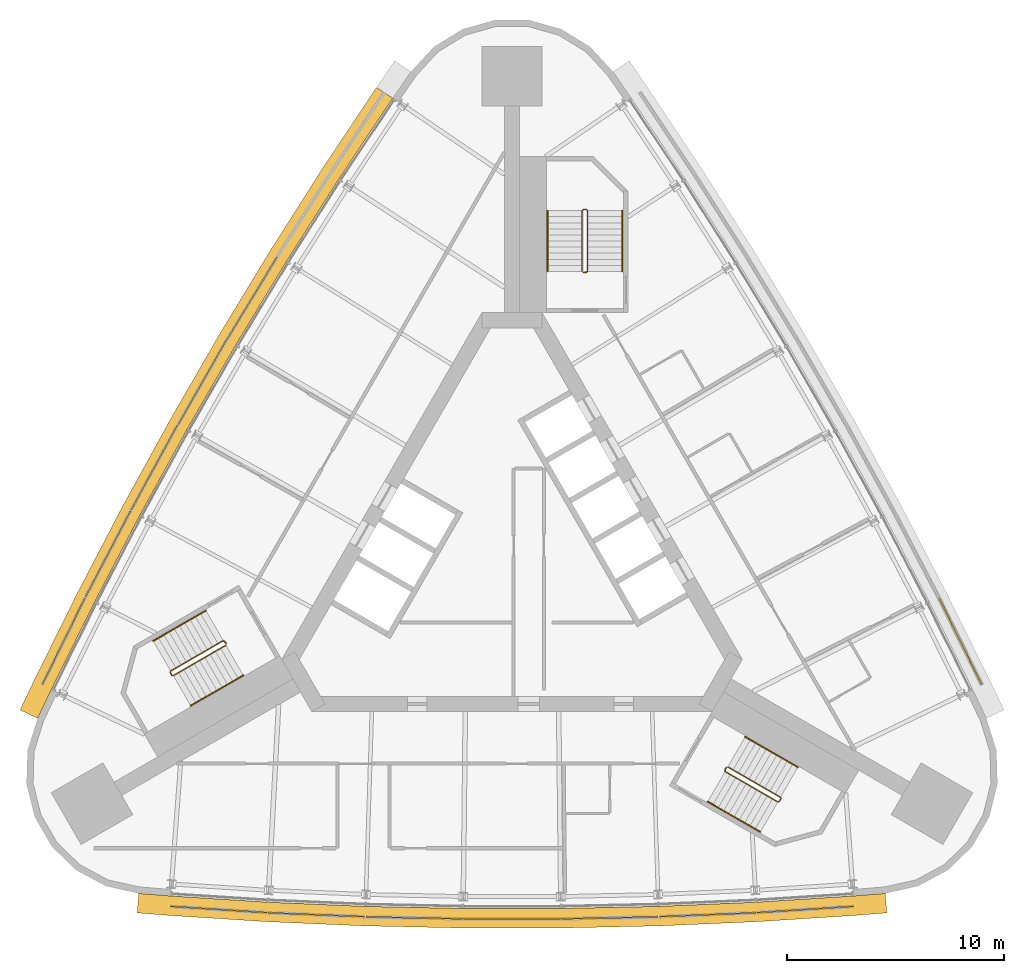
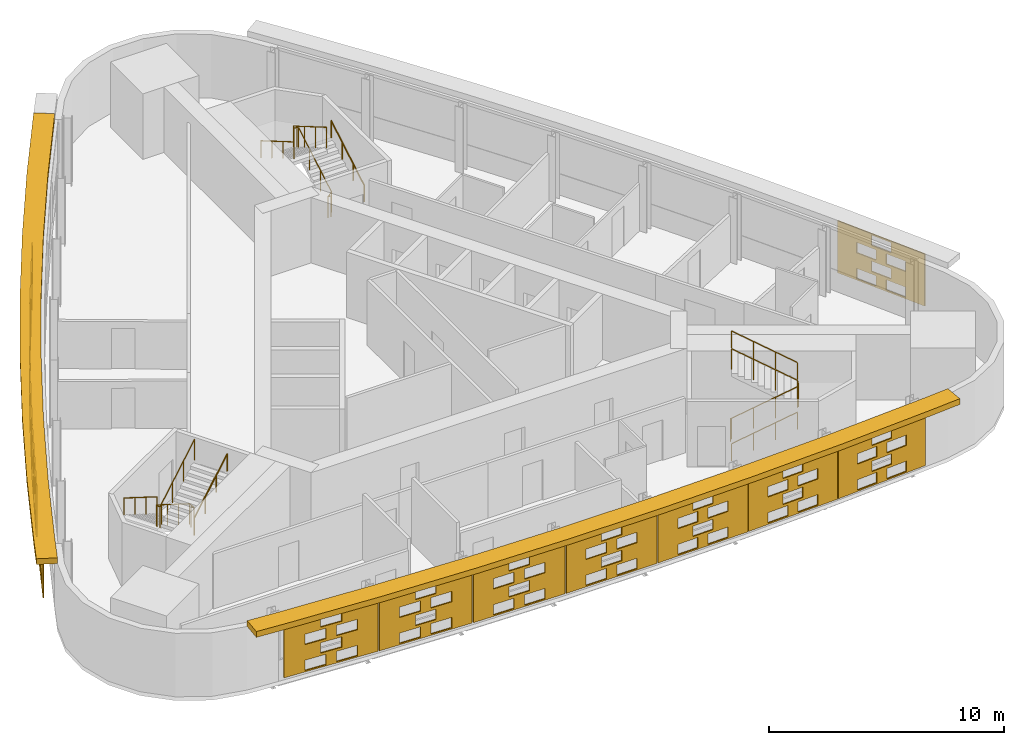
# One storey, part 11 of 12: 15 shading devices, 9 railings.
"""IFC4 building model written with IfcOpenShell, lengths in metres."""

from ifc_helpers import new_model, si_unit, direction, frame, origin, origin_2d, place, context, subcontext, project, spatial, polyline, circle, outline, extrude, material, material_profile, profile_set, type_object, element, save


model = new_model("IFC4")

# Units and contexts
model_context = context("Model", 3, precision=1e-05, world=origin(), true_north=direction((0.0, 1.0)))
body_context = subcontext(model_context, "Body", "Model", "MODEL_VIEW")
ifc_project = project(units=[si_unit("LENGTHUNIT", "METRE"), si_unit("AREAUNIT", "SQUARE_METRE"), si_unit("VOLUMEUNIT", "CUBIC_METRE"), si_unit("PLANEANGLEUNIT", "RADIAN"), si_unit("MASSUNIT", "GRAM", prefix="KILO")], contexts=[model_context])

# Site, building, storey
site_placement = place(None, origin())
site = spatial("IfcSite", under=ifc_project, at=site_placement, CompositionType="ELEMENT")
building_placement = place(site_placement, origin())
building = spatial("IfcBuilding", under=site, at=building_placement, Name="Noor Cloister Tower", CompositionType="ELEMENT")
storey_placement = place(building_placement, frame((0.0, 0.0, 188.699951171875)))
storey = spatial("IfcBuildingStorey", under=building, at=storey_placement, Name="L48", CompositionType="ELEMENT", Elevation=188.699951171875)

# Shading devices
ifc_material_1 = material(Name="Limestone", Category="masonry")
ifc_material_profile = material_profile(ifc_material_1, outline(polyline([(-2.22998046875, -1.35009765625), (2.22998046875, -1.35009765625), (2.22998046875, 1.35009765625), (-2.22998046875, 1.35009765625), (-2.22998046875, -1.35009765625)]), holes=[polyline([(-1.25, -1.282470703125), (-0.25, -1.282470703125), (-0.25, -0.742431640625), (-1.25, -0.742431640625), (-1.25, -1.282470703125)]), polyline([(0.25, -1.282470703125), (1.25, -1.282470703125), (1.25, -0.742431640625), (0.25, -0.742431640625), (0.25, -1.282470703125)]), polyline([(-0.5, -0.607421875), (0.5, -0.607421875), (0.5, -0.0673828125), (-0.5, -0.0673828125), (-0.5, -0.607421875)]), polyline([(-1.25, 0.0673828125), (-0.25, 0.0673828125), (-0.25, 0.607421875), (-1.25, 0.607421875), (-1.25, 0.0673828125)]), polyline([(0.25, 0.0673828125), (1.25, 0.0673828125), (1.25, 0.607421875), (0.25, 0.607421875), (0.25, 0.0673828125)]), polyline([(-0.5, 0.742431640625), (0.5, 0.742431640625), (0.5, 1.282470703125), (-0.5, 1.282470703125), (-0.5, 0.742431640625)])]), Name="Woven screen 32 percent open")
ifc_profile_set = profile_set([ifc_material_profile], Name="Limestone")
shading_device_type_1 = type_object("IfcShadingDeviceType", Name="SCREEN woven limestone 32 percent open", PredefinedType="USERDEFINED", material=ifc_profile_set)
shading_device_1_placement = place(storey_placement, frame((-11.95556640625, 12.109130859375, 1.85009765625), z_axis=(-0.854980050906, 0.518660883962, 0.0), x_axis=(-0.518660883962, -0.854980050906, 0.0)))
element("IfcShadingDevice", 1, at=shading_device_1_placement, inside=storey, type_object=shading_device_type_1, Name="SCREEN L48 3", ObjectType="SCREEN", PredefinedType="USERDEFINED", context=body_context, shape_type="SweptSolid", body=[
    extrude(outline(polyline([(-2.22998046875, -1.35009765625), (2.22998046875, -1.35009765625), (2.22998046875, 1.35009765625), (-2.22998046875, 1.35009765625), (-2.22998046875, -1.35009765625)]), holes=[polyline([(-1.25, -1.282470703125), (-0.25, -1.282470703125), (-0.25, -0.742431640625), (-1.25, -0.742431640625), (-1.25, -1.282470703125)]), polyline([(0.25, -1.282470703125), (1.25, -1.282470703125), (1.25, -0.742431640625), (0.25, -0.742431640625), (0.25, -1.282470703125)]), polyline([(-0.5, -0.607421875), (0.5, -0.607421875), (0.5, -0.0673828125), (-0.5, -0.0673828125), (-0.5, -0.607421875)]), polyline([(-1.25, 0.0673828125), (-0.25, 0.0673828125), (-0.25, 0.607421875), (-1.25, 0.607421875), (-1.25, 0.0673828125)]), polyline([(0.25, 0.0673828125), (1.25, 0.0673828125), (1.25, 0.607421875), (0.25, 0.607421875), (0.25, 0.0673828125)]), polyline([(-0.5, 0.742431640625), (0.5, 0.742431640625), (0.5, 1.282470703125), (-0.5, 1.282470703125), (-0.5, 0.742431640625)])]), origin(), (0.0, 0.0, 1.0), 0.060302734375),
])
shading_device_2_placement = place(storey_placement, frame((-14.251953125, 8.228515625, 1.85009765625), z_axis=(-0.86774129532, 0.497016140981, 0.0), x_axis=(-0.497016140981, -0.86774129532, 0.0)))
element("IfcShadingDevice", 2, at=shading_device_2_placement, inside=storey, type_object=shading_device_type_1, Name="SCREEN L48 4", ObjectType="SCREEN", PredefinedType="USERDEFINED", context=body_context, shape_type="SweptSolid", body=[
    extrude(outline(polyline([(-2.22998046875, -1.35009765625), (2.22998046875, -1.35009765625), (2.22998046875, 1.35009765625), (-2.22998046875, 1.35009765625), (-2.22998046875, -1.35009765625)]), holes=[polyline([(-1.25, -1.282470703125), (-0.25, -1.282470703125), (-0.25, -0.742431640625), (-1.25, -0.742431640625), (-1.25, -1.282470703125)]), polyline([(0.25, -1.282470703125), (1.25, -1.282470703125), (1.25, -0.742431640625), (0.25, -0.742431640625), (0.25, -1.282470703125)]), polyline([(-0.5, -0.607421875), (0.5, -0.607421875), (0.5, -0.0673828125), (-0.5, -0.0673828125), (-0.5, -0.607421875)]), polyline([(-1.25, 0.0673828125), (-0.25, 0.0673828125), (-0.25, 0.607421875), (-1.25, 0.607421875), (-1.25, 0.0673828125)]), polyline([(0.25, 0.0673828125), (1.25, 0.0673828125), (1.25, 0.607421875), (0.25, 0.607421875), (0.25, 0.0673828125)]), polyline([(-0.5, 0.742431640625), (0.5, 0.742431640625), (0.5, 1.282470703125), (-0.5, 1.282470703125), (-0.5, 0.742431640625)])]), origin(), (0.0, 0.0, 1.0), 0.059814453125),
])
for number, where, z_axis, x_axis, name in (
    (3, (-16.464599609375, 4.29931640625, 1.85009765625), (-0.877584848731, 0.479421352547, 0.0), (-0.479421352547, -0.877584848731, 0.0), "SCREEN L48 5"),
    (4, (-18.5927734375, 0.32373046875, 1.85009765625), (-0.886149575817, 0.463399319464, 0.0), (-0.463399319464, -0.886149575817, 0.0), "SCREEN L48 6"),
    (5, (-20.63525390625, -3.6962890625, 1.85009765625), (-0.896848817686, 0.442337199673, 0.0), (-0.442337199673, -0.896848817686, 0.0), "SCREEN L48 7"),
):
    element("IfcShadingDevice", number, at=place(storey_placement, frame(where, z_axis=z_axis, x_axis=x_axis)), inside=storey, type_object=shading_device_type_1, Name=name, ObjectType="SCREEN", PredefinedType="USERDEFINED", context=body_context, shape_type="SweptSolid", body=[
        extrude(outline(polyline([(-2.22998046875, -1.35009765625), (2.22998046875, -1.35009765625), (2.22998046875, 1.35009765625), (-2.22998046875, 1.35009765625), (-2.22998046875, -1.35009765625)]), holes=[polyline([(-1.25, -1.282470703125), (-0.25, -1.282470703125), (-0.25, -0.742431640625), (-1.25, -0.742431640625), (-1.25, -1.282470703125)]), polyline([(0.25, -1.282470703125), (1.25, -1.282470703125), (1.25, -0.742431640625), (0.25, -0.742431640625), (0.25, -1.282470703125)]), polyline([(-0.5, -0.607421875), (0.5, -0.607421875), (0.5, -0.0673828125), (-0.5, -0.0673828125), (-0.5, -0.607421875)]), polyline([(-1.25, 0.0673828125), (-0.25, 0.0673828125), (-0.25, 0.607421875), (-1.25, 0.607421875), (-1.25, 0.0673828125)]), polyline([(0.25, 0.0673828125), (1.25, 0.0673828125), (1.25, 0.607421875), (0.25, 0.607421875), (0.25, 0.0673828125)]), polyline([(-0.5, 0.742431640625), (0.5, 0.742431640625), (0.5, 1.282470703125), (-0.5, 1.282470703125), (-0.5, 0.742431640625)])]), origin(), (0.0, 0.0, 1.0), 0.06005859375),
    ])
shading_device_3_placement = place(storey_placement, frame((-13.518798828125, -16.0224609375, 1.85009765625), z_axis=(-0.064903515062, -0.997891544073, 0.0), x_axis=(0.997891544073, -0.064903515062, 0.0)))
element("IfcShadingDevice", 6, at=shading_device_3_placement, inside=storey, type_object=shading_device_type_1, Name="SCREEN L48 1", ObjectType="SCREEN", PredefinedType="USERDEFINED", context=body_context, shape_type="SweptSolid", body=[
    extrude(outline(polyline([(-2.22998046875, -1.35009765625), (2.22998046875, -1.35009765625), (2.22998046875, 1.35009765625), (-2.22998046875, 1.35009765625), (-2.22998046875, -1.35009765625)]), holes=[polyline([(-1.25, -1.282470703125), (-0.25, -1.282470703125), (-0.25, -0.742431640625), (-1.25, -0.742431640625), (-1.25, -1.282470703125)]), polyline([(0.25, -1.282470703125), (1.25, -1.282470703125), (1.25, -0.742431640625), (0.25, -0.742431640625), (0.25, -1.282470703125)]), polyline([(-0.5, -0.607421875), (0.5, -0.607421875), (0.5, -0.0673828125), (-0.5, -0.0673828125), (-0.5, -0.607421875)]), polyline([(-1.25, 0.0673828125), (-0.25, 0.0673828125), (-0.25, 0.607421875), (-1.25, 0.607421875), (-1.25, 0.0673828125)]), polyline([(0.25, 0.0673828125), (1.25, 0.0673828125), (1.25, 0.607421875), (0.25, 0.607421875), (0.25, 0.0673828125)]), polyline([(-0.5, 0.742431640625), (0.5, 0.742431640625), (0.5, 1.282470703125), (-0.5, 1.282470703125), (-0.5, 0.742431640625)])]), origin(), (0.0, 0.0, 1.0), 0.060302734375),
])
for number, where, z_axis, x_axis, name in (
    (7, (-9.01611328125, -16.263671875, 1.85009765625), (-0.040616861577, -0.999174794796, 0.0), (0.999174794796, -0.040616861577, 0.0), "SCREEN L48 2"),
    (8, (-4.509033203125, -16.408447265625, 1.85009765625), (-0.020321006241, -0.999793507033, 0.0), (0.999793507033, -0.020321006241, 0.0), "SCREEN L48 3"),
    (9, (0.0, -16.456787109375, 1.85009765625), (0.0, -1.0, 0.0), (1.0, 0.0, 0.0), "SCREEN L48 4"),
    (10, (4.509033203125, -16.408447265625, 1.85009765625), (0.020321006241, -0.999793507033, 0.0), (0.999793507033, 0.020321006241, 0.0), "SCREEN L48 5"),
    (11, (9.01611328125, -16.263671875, 1.85009765625), (0.040616861577, -0.999174794796, 0.0), (0.999174794796, 0.040616861577, 0.0), "SCREEN L48 6"),
):
    element("IfcShadingDevice", number, at=place(storey_placement, frame(where, z_axis=z_axis, x_axis=x_axis)), inside=storey, type_object=shading_device_type_1, Name=name, ObjectType="SCREEN", PredefinedType="USERDEFINED", context=body_context, shape_type="SweptSolid", body=[
        extrude(outline(polyline([(-2.22998046875, -1.35009765625), (2.22998046875, -1.35009765625), (2.22998046875, 1.35009765625), (-2.22998046875, 1.35009765625), (-2.22998046875, -1.35009765625)]), holes=[polyline([(-1.25, -1.282470703125), (-0.25, -1.282470703125), (-0.25, -0.742431640625), (-1.25, -0.742431640625), (-1.25, -1.282470703125)]), polyline([(0.25, -1.282470703125), (1.25, -1.282470703125), (1.25, -0.742431640625), (0.25, -0.742431640625), (0.25, -1.282470703125)]), polyline([(-0.5, -0.607421875), (0.5, -0.607421875), (0.5, -0.0673828125), (-0.5, -0.0673828125), (-0.5, -0.607421875)]), polyline([(-1.25, 0.0673828125), (-0.25, 0.0673828125), (-0.25, 0.607421875), (-1.25, 0.607421875), (-1.25, 0.0673828125)]), polyline([(0.25, 0.0673828125), (1.25, 0.0673828125), (1.25, 0.607421875), (0.25, 0.607421875), (0.25, 0.0673828125)]), polyline([(-0.5, 0.742431640625), (0.5, 0.742431640625), (0.5, 1.282470703125), (-0.5, 1.282470703125), (-0.5, 0.742431640625)])]), origin(), (0.0, 0.0, 1.0), 0.06005859375),
    ])
shading_device_4_placement = place(storey_placement, frame((13.518798828125, -16.0224609375, 1.85009765625), z_axis=(0.064903515062, -0.997891544073, 0.0), x_axis=(0.997891544073, 0.064903515062, 0.0)))
element("IfcShadingDevice", 12, at=shading_device_4_placement, inside=storey, type_object=shading_device_type_1, Name="SCREEN L48 7", ObjectType="SCREEN", PredefinedType="USERDEFINED", context=body_context, shape_type="SweptSolid", body=[
    extrude(outline(polyline([(-2.22998046875, -1.35009765625), (2.22998046875, -1.35009765625), (2.22998046875, 1.35009765625), (-2.22998046875, 1.35009765625), (-2.22998046875, -1.35009765625)]), holes=[polyline([(-1.25, -1.282470703125), (-0.25, -1.282470703125), (-0.25, -0.742431640625), (-1.25, -0.742431640625), (-1.25, -1.282470703125)]), polyline([(0.25, -1.282470703125), (1.25, -1.282470703125), (1.25, -0.742431640625), (0.25, -0.742431640625), (0.25, -1.282470703125)]), polyline([(-0.5, -0.607421875), (0.5, -0.607421875), (0.5, -0.0673828125), (-0.5, -0.0673828125), (-0.5, -0.607421875)]), polyline([(-1.25, 0.0673828125), (-0.25, 0.0673828125), (-0.25, 0.607421875), (-1.25, 0.607421875), (-1.25, 0.0673828125)]), polyline([(0.25, 0.0673828125), (1.25, 0.0673828125), (1.25, 0.607421875), (0.25, 0.607421875), (0.25, 0.0673828125)]), polyline([(-0.5, 0.742431640625), (0.5, 0.742431640625), (0.5, 1.282470703125), (-0.5, 1.282470703125), (-0.5, 0.742431640625)])]), origin(), (0.0, 0.0, 1.0), 0.060302734375),
])
shading_device_5_placement = place(storey_placement, frame((20.63525390625, -3.6962890625, 1.85009765625), z_axis=(0.896848817686, 0.442337199673, 0.0), x_axis=(-0.442337199673, 0.896848817686, 0.0)))
element("IfcShadingDevice", 13, at=shading_device_5_placement, inside=storey, type_object=shading_device_type_1, Name="SCREEN L48 1", ObjectType="SCREEN", PredefinedType="USERDEFINED", context=body_context, shape_type="SweptSolid", body=[
    extrude(outline(polyline([(-2.22998046875, -1.35009765625), (2.22998046875, -1.35009765625), (2.22998046875, 1.35009765625), (-2.22998046875, 1.35009765625), (-2.22998046875, -1.35009765625)]), holes=[polyline([(-1.25, -1.282470703125), (-0.25, -1.282470703125), (-0.25, -0.742431640625), (-1.25, -0.742431640625), (-1.25, -1.282470703125)]), polyline([(0.25, -1.282470703125), (1.25, -1.282470703125), (1.25, -0.742431640625), (0.25, -0.742431640625), (0.25, -1.282470703125)]), polyline([(-0.5, -0.607421875), (0.5, -0.607421875), (0.5, -0.0673828125), (-0.5, -0.0673828125), (-0.5, -0.607421875)]), polyline([(-1.25, 0.0673828125), (-0.25, 0.0673828125), (-0.25, 0.607421875), (-1.25, 0.607421875), (-1.25, 0.0673828125)]), polyline([(0.25, 0.0673828125), (1.25, 0.0673828125), (1.25, 0.607421875), (0.25, 0.607421875), (0.25, 0.0673828125)]), polyline([(-0.5, 0.742431640625), (0.5, 0.742431640625), (0.5, 1.282470703125), (-0.5, 1.282470703125), (-0.5, 0.742431640625)])]), origin(), (0.0, 0.0, 1.0), 0.06005859375),
])
ifc_material_2 = material(Name="Limestone", Category="masonry")
shading_device_type_2 = type_object("IfcShadingDeviceType", Name="SUNSHADE limestone band 900", PredefinedType="USERDEFINED", material=ifc_material_2)
shading_device_6_placement = place(storey_placement, frame((0.0, 0.0, 3.300048828125)))
element("IfcShadingDevice", 14, at=shading_device_6_placement, inside=storey, type_object=shading_device_type_2, Name="SUNSHADE L48 1", ObjectType="SUNSHADE", PredefinedType="USERDEFINED", context=body_context, shape_type="SweptSolid", body=[
    extrude(outline(polyline([(-6.2431640625, 21.8408203125), (-8.744140625, 18.088134765625), (-11.1689453125, 14.274658203125), (-13.511962890625, 10.41015625), (-15.771484375, 6.49658203125), (-17.94677734375, 2.535400390625), (-20.036865234375, -1.471435546875), (-22.0390625, -5.519287109375), (-22.6767578125, -6.855712890625), (-21.864501953125, -7.2431640625), (-21.2294921875, -5.91259765625), (-19.234375, -1.879150390625), (-17.1533203125, 2.110595703125), (-14.9873046875, 6.054931640625), (-12.7373046875, 9.951904296875), (-10.404541015625, 13.7998046875), (-7.98974609375, 17.59716796875), (-5.494384765625, 21.341552734375), (-6.2431640625, 21.8408203125)])), origin(), (0.0, 0.0, 1.0), 0.300048828125),
])
shading_device_7_placement = place(storey_placement, frame((0.0, 0.0, 3.300048828125)))
element("IfcShadingDevice", 15, at=shading_device_7_placement, inside=storey, type_object=shading_device_type_2, Name="SUNSHADE L48 2", ObjectType="SUNSHADE", PredefinedType="USERDEFINED", context=body_context, shape_type="SweptSolid", body=[
    extrude(outline(polyline([(-17.275634765625, -16.210693359375), (-15.79931640625, -16.326904296875), (-11.292724609375, -16.61669921875), (-6.77783203125, -16.81005859375), (-2.259521484375, -16.90673828125), (2.259521484375, -16.90673828125), (6.77783203125, -16.81005859375), (11.292724609375, -16.61669921875), (15.79931640625, -16.326904296875), (17.275634765625, -16.210693359375), (17.205078125, -15.3134765625), (15.7353515625, -15.428955078125), (11.24462890625, -15.7177734375), (6.748779296875, -15.910400390625), (2.25, -16.0068359375), (-2.25, -16.0068359375), (-6.748779296875, -15.910400390625), (-11.24462890625, -15.7177734375), (-15.7353515625, -15.428955078125), (-17.205078125, -15.3134765625), (-17.275634765625, -16.210693359375)])), origin(), (0.0, 0.0, 1.0), 0.300048828125),
])

# Railings
ifc_material_3 = material(Name="Stainless steel", Category="steel")
railing_type_1 = type_object("IfcRailingType", Name="Stair guard 1100", PredefinedType="GUARDRAIL", material=ifc_material_3)
railing_1_placement = place(storey_placement, frame((3.435546875, 13.306396484375, 0.0)))
element("IfcRailing", 16, at=railing_1_placement, inside=storey, type_object=railing_type_1, Name="Stair guard ST1 L48", PredefinedType="GUARDRAIL", context=body_context, shape_type="SweptSolid", body=[
    extrude(circle(Radius=0.02392578125, at=origin_2d()), frame((0.0, 0.0, 1.076171875), z_axis=(-1.0, 0.0, 0.0), x_axis=(0.0, -1.0, 0.0)), (0.0, 0.0, 1.0), 0.14990234375),
    extrude(circle(Radius=0.02392578125, at=origin_2d()), frame((-0.14990234375, 0.0, 1.076171875), z_axis=(0.759870394187, 0.190199549216, 0.621627795), x_axis=(-0.242814311512, 0.970072785993, 0.0)), (0.0, 0.0, 1.0), 0.26318359375),
    extrude(circle(Radius=0.02392578125, at=origin_2d()), frame((0.050048828125, 0.050048828125, 1.23974609375), z_axis=(0.0, 0.863360870873, 0.504586966384), x_axis=(-1.0, 0.0, 0.0)), (0.0, 0.0, 1.0), 3.2431640625),
    extrude(circle(Radius=0.02392578125, at=origin_2d()), frame((0.050048828125, 2.85009765625, 2.8759765625), z_axis=(-0.708833529934, 0.705375805398, 0.0), x_axis=(-0.705375805398, -0.708833529934, 0.0)), (0.0, 0.0, 1.0), 0.070556640625),
    extrude(circle(Radius=0.02392578125, at=origin_2d()), frame((0.0, 2.89990234375, 2.8759765625), z_axis=(-1.0, 0.0, 0.0), x_axis=(0.0, -1.0, 0.0)), (0.0, 0.0, 1.0), 0.14990234375),
    extrude(circle(Radius=0.02392578125, at=origin_2d()), frame((-0.14990234375, 2.89990234375, 2.8759765625), z_axis=(-0.280916556609, -0.279546231943, 0.91811752648), x_axis=(0.705375805398, -0.708833529934, 0.0)), (0.0, 0.0, 1.0), 0.17822265625),
    extrude(circle(Radius=0.02392578125, at=origin_2d()), frame((-0.199951171875, 2.85009765625, 3.03955078125), z_axis=(0.0, -0.863360870873, 0.504586966384), x_axis=(1.0, 0.0, 0.0)), (0.0, 0.0, 1.0), 3.2431640625),
    extrude(circle(Radius=0.02099609375, at=origin_2d()), origin(), (0.0, 0.0, 1.0), 1.052001953125),
    extrude(circle(Radius=0.02099609375, at=origin_2d()), frame((-0.14990234375, 0.0, 0.0)), (0.0, 0.0, 1.0), 1.052001953125),
    extrude(circle(Radius=0.02099609375, at=origin_2d()), frame((0.050048828125, 0.050048828125, 0.16357421875)), (0.0, 0.0, 1.0), 1.052001953125),
    extrude(circle(Radius=0.02099609375, at=origin_2d()), frame((0.050048828125, 0.9833984375, 0.708984375)), (0.0, 0.0, 1.0), 1.052001953125),
    extrude(circle(Radius=0.02099609375, at=origin_2d()), frame((0.050048828125, 1.916748046875, 1.254638671875)), (0.0, 0.0, 1.0), 1.052001953125),
    extrude(circle(Radius=0.02099609375, at=origin_2d()), frame((0.050048828125, 2.85009765625, 1.800048828125)), (0.0, 0.0, 1.0), 1.052001953125),
    extrude(circle(Radius=0.02099609375, at=origin_2d()), frame((0.0, 2.89990234375, 1.800048828125)), (0.0, 0.0, 1.0), 1.052001953125),
    extrude(circle(Radius=0.02099609375, at=origin_2d()), frame((-0.14990234375, 2.89990234375, 1.800048828125)), (0.0, 0.0, 1.0), 1.052001953125),
    extrude(circle(Radius=0.02099609375, at=origin_2d()), frame((-0.199951171875, 2.85009765625, 1.963623046875)), (0.0, 0.0, 1.0), 1.052001953125),
    extrude(circle(Radius=0.02099609375, at=origin_2d()), frame((-0.199951171875, 1.916748046875, 2.509033203125)), (0.0, 0.0, 1.0), 1.052001953125),
    extrude(circle(Radius=0.02099609375, at=origin_2d()), frame((-0.199951171875, 0.9833984375, 3.0546875)), (0.0, 0.0, 1.0), 1.052001953125),
    extrude(circle(Radius=0.02099609375, at=origin_2d()), frame((-0.199951171875, 0.050048828125, 3.60009765625)), (0.0, 0.0, 1.0), 1.052001953125),
])
railing_2_placement = place(storey_placement, frame((-13.241455078125, -3.677734375, 0.0)))
element("IfcRailing", 17, at=railing_2_placement, inside=storey, type_object=railing_type_1, Name="Stair guard ST2 L48", PredefinedType="GUARDRAIL", context=body_context, shape_type="SweptSolid", body=[
    extrude(circle(Radius=0.02392578125, at=origin_2d()), frame((0.0, 0.0, 1.076171875), z_axis=(0.499112439033, -0.866537231285, 0.0), x_axis=(0.866537231285, 0.499112439033, 0.0)), (0.0, 0.0, 1.0), 0.150146484375),
    extrude(circle(Radius=0.02392578125, at=origin_2d()), frame((0.074951171875, -0.130126953125, 1.076171875), z_axis=(-0.544565797804, 0.563119998752, 0.621565731736), x_axis=(-0.718850276695, -0.695164929852, 0.0)), (0.0, 0.0, 1.0), 0.26318359375),
    extrude(circle(Radius=0.02392578125, at=origin_2d()), frame((-0.068359375, 0.01806640625, 1.23974609375), z_axis=(-0.747689811644, -0.431660630283, 0.504607813879), x_axis=(0.49998411664, -0.866034573852, 0.0)), (0.0, 0.0, 1.0), 3.2431640625),
    extrude(circle(Radius=0.02392578125, at=origin_2d()), frame((-2.4931640625, -1.3818359375, 2.8759765625), z_axis=(-0.258736085224, -0.965948051503, 0.0), x_axis=(0.965948051503, -0.258736085224, 0.0)), (0.0, 0.0, 1.0), 0.07080078125),
    extrude(circle(Radius=0.02392578125, at=origin_2d()), frame((-2.511474609375, -1.4501953125, 2.8759765625), z_axis=(0.499816412211, -0.866131372301, 0.0), x_axis=(0.866131372301, 0.499816412211, 0.0)), (0.0, 0.0, 1.0), 0.14990234375),
    extrude(circle(Radius=0.02392578125, at=origin_2d()), frame((-2.4365234375, -1.580078125, 2.8759765625), z_axis=(0.383552647116, -0.102737316192, 0.917786691313), x_axis=(0.258736085224, 0.965948051503, 0.0)), (0.0, 0.0, 1.0), 0.17822265625),
    extrude(circle(Radius=0.02392578125, at=origin_2d()), frame((-2.3681640625, -1.598388671875, 3.03955078125), z_axis=(0.747665513933, 0.431721881032, 0.504591415616), x_axis=(-0.500049511043, 0.865996816683, 0.0)), (0.0, 0.0, 1.0), 3.2431640625),
    extrude(circle(Radius=0.02099609375, at=origin_2d()), origin(), (0.0, 0.0, 1.0), 1.052001953125),
    extrude(circle(Radius=0.02099609375, at=origin_2d()), frame((0.074951171875, -0.130126953125, 0.0)), (0.0, 0.0, 1.0), 1.052001953125),
    extrude(circle(Radius=0.02099609375, at=origin_2d()), frame((-0.068359375, 0.01806640625, 0.16357421875)), (0.0, 0.0, 1.0), 1.052001953125),
    extrude(circle(Radius=0.02099609375, at=origin_2d()), frame((-0.876708984375, -0.448486328125, 0.708984375)), (0.0, 0.0, 1.0), 1.052001953125),
    extrude(circle(Radius=0.02099609375, at=origin_2d()), frame((-1.684814453125, -0.915283203125, 1.254638671875)), (0.0, 0.0, 1.0), 1.052001953125),
    extrude(circle(Radius=0.02099609375, at=origin_2d()), frame((-2.4931640625, -1.3818359375, 1.800048828125)), (0.0, 0.0, 1.0), 1.052001953125),
    extrude(circle(Radius=0.02099609375, at=origin_2d()), frame((-2.511474609375, -1.4501953125, 1.800048828125)), (0.0, 0.0, 1.0), 1.052001953125),
    extrude(circle(Radius=0.02099609375, at=origin_2d()), frame((-2.4365234375, -1.580078125, 1.800048828125)), (0.0, 0.0, 1.0), 1.052001953125),
    extrude(circle(Radius=0.02099609375, at=origin_2d()), frame((-2.3681640625, -1.598388671875, 1.963623046875)), (0.0, 0.0, 1.0), 1.052001953125),
    extrude(circle(Radius=0.02099609375, at=origin_2d()), frame((-1.559814453125, -1.131591796875, 2.509033203125)), (0.0, 0.0, 1.0), 1.052001953125),
    extrude(circle(Radius=0.02099609375, at=origin_2d()), frame((-0.751708984375, -0.6650390625, 3.0546875)), (0.0, 0.0, 1.0), 1.052001953125),
    extrude(circle(Radius=0.02099609375, at=origin_2d()), frame((0.056640625, -0.1982421875, 3.60009765625)), (0.0, 0.0, 1.0), 1.052001953125),
])
railing_3_placement = place(storey_placement, frame((9.805908203125, -9.628662109375, 0.0)))
element("IfcRailing", 18, at=railing_3_placement, inside=storey, type_object=railing_type_1, Name="Stair guard ST3 L48", PredefinedType="GUARDRAIL", context=body_context, shape_type="SweptSolid", body=[
    extrude(circle(Radius=0.02392578125, at=origin_2d()), frame((0.0, 0.0, 1.076171875), z_axis=(0.499112439033, 0.866537231285, 0.0), x_axis=(-0.866537231285, 0.499112439033, 0.0)), (0.0, 0.0, 1.0), 0.150146484375),
    extrude(circle(Radius=0.02392578125, at=origin_2d()), frame((0.074951171875, 0.130126953125, 1.076171875), z_axis=(-0.215214839654, -0.753251938789, 0.621525614518), x_axis=(0.961523947641, -0.274721127897, 0.0)), (0.0, 0.0, 1.0), 0.26318359375),
    extrude(circle(Radius=0.02392578125, at=origin_2d()), frame((0.018310546875, -0.068115234375, 1.23974609375), z_axis=(0.747665513933, -0.431721881032, 0.504591415616), x_axis=(0.500049511043, 0.865996816683, 0.0)), (0.0, 0.0, 1.0), 3.2431640625),
    extrude(circle(Radius=0.02392578125, at=origin_2d()), frame((2.443115234375, -1.46826171875, 2.8759765625), z_axis=(0.965948051503, 0.258736085224, 0.0), x_axis=(-0.258736085224, 0.965948051503, 0.0)), (0.0, 0.0, 1.0), 0.07080078125),
    extrude(circle(Radius=0.02392578125, at=origin_2d()), frame((2.511474609375, -1.449951171875, 2.8759765625), z_axis=(0.499816412211, 0.866131372301, 0.0), x_axis=(-0.866131372301, 0.499816412211, 0.0)), (0.0, 0.0, 1.0), 0.14990234375),
    extrude(circle(Radius=0.02392578125, at=origin_2d()), frame((2.58642578125, -1.320068359375, 2.8759765625), z_axis=(-0.102737316192, 0.383552647116, 0.917786691313), x_axis=(-0.965948051503, -0.258736085224, 0.0)), (0.0, 0.0, 1.0), 0.17822265625),
    extrude(circle(Radius=0.02392578125, at=origin_2d()), frame((2.568115234375, -1.251708984375, 3.03955078125), z_axis=(-0.747689811644, 0.431660630283, 0.504607813879), x_axis=(-0.49998411664, -0.866034573852, 0.0)), (0.0, 0.0, 1.0), 3.2431640625),
    extrude(circle(Radius=0.02099609375, at=origin_2d()), origin(), (0.0, 0.0, 1.0), 1.052001953125),
    extrude(circle(Radius=0.02099609375, at=origin_2d()), frame((0.074951171875, 0.130126953125, 0.0)), (0.0, 0.0, 1.0), 1.052001953125),
    extrude(circle(Radius=0.02099609375, at=origin_2d()), frame((0.018310546875, -0.068115234375, 0.16357421875)), (0.0, 0.0, 1.0), 1.052001953125),
    extrude(circle(Radius=0.02099609375, at=origin_2d()), frame((0.82666015625, -0.534912109375, 0.708984375)), (0.0, 0.0, 1.0), 1.052001953125),
    extrude(circle(Radius=0.02099609375, at=origin_2d()), frame((1.634765625, -1.00146484375, 1.254638671875)), (0.0, 0.0, 1.0), 1.052001953125),
    extrude(circle(Radius=0.02099609375, at=origin_2d()), frame((2.443115234375, -1.46826171875, 1.800048828125)), (0.0, 0.0, 1.0), 1.052001953125),
    extrude(circle(Radius=0.02099609375, at=origin_2d()), frame((2.511474609375, -1.449951171875, 1.800048828125)), (0.0, 0.0, 1.0), 1.052001953125),
    extrude(circle(Radius=0.02099609375, at=origin_2d()), frame((2.58642578125, -1.320068359375, 1.800048828125)), (0.0, 0.0, 1.0), 1.052001953125),
    extrude(circle(Radius=0.02099609375, at=origin_2d()), frame((2.568115234375, -1.251708984375, 1.963623046875)), (0.0, 0.0, 1.0), 1.052001953125),
    extrude(circle(Radius=0.02099609375, at=origin_2d()), frame((1.759765625, -0.78515625, 2.509033203125)), (0.0, 0.0, 1.0), 1.052001953125),
    extrude(circle(Radius=0.02099609375, at=origin_2d()), frame((0.95166015625, -0.318359375, 3.0546875)), (0.0, 0.0, 1.0), 1.052001953125),
    extrude(circle(Radius=0.02099609375, at=origin_2d()), frame((0.143310546875, 0.148193359375, 3.60009765625)), (0.0, 0.0, 1.0), 1.052001953125),
])
ifc_material_4 = material(Name="Stainless steel", Category="steel")
railing_type_2 = type_object("IfcRailingType", Name="Stair handrail 900", PredefinedType="HANDRAIL", material=ifc_material_4)
railing_4_placement = place(storey_placement, frame((5.085693359375, 13.3564453125, 0.16357421875)))
element("IfcRailing", 19, at=railing_4_placement, inside=storey, type_object=railing_type_2, Name="Stair handrail ST1 L48 1", PredefinedType="HANDRAIL", context=body_context, shape_type="SweptSolid", body=[
    extrude(circle(Radius=0.02392578125, at=origin_2d()), frame((0.0, 0.0, 0.8759765625), z_axis=(0.0, 0.863360870873, 0.504586966384), x_axis=(-1.0, 0.0, 0.0)), (0.0, 0.0, 1.0), 3.2431640625),
    extrude(circle(Radius=0.02099609375, at=origin_2d()), origin(), (0.0, 0.0, 1.0), 0.851806640625),
    extrude(circle(Radius=0.02099609375, at=origin_2d()), frame((0.0, 0.933349609375, 0.54541015625)), (0.0, 0.0, 1.0), 0.851806640625),
    extrude(circle(Radius=0.02099609375, at=origin_2d()), frame((0.0, 1.86669921875, 1.091064453125)), (0.0, 0.0, 1.0), 0.851806640625),
    extrude(circle(Radius=0.02099609375, at=origin_2d()), frame((0.0, 2.800048828125, 1.636474609375)), (0.0, 0.0, 1.0), 0.851806640625),
])
railing_5_placement = place(storey_placement, frame((1.6357421875, 16.156494140625, 1.963623046875)))
element("IfcRailing", 20, at=railing_5_placement, inside=storey, type_object=railing_type_2, Name="Stair handrail ST1 L48 2", PredefinedType="HANDRAIL", context=body_context, shape_type="SweptSolid", body=[
    extrude(circle(Radius=0.02392578125, at=origin_2d()), frame((0.0, 0.0, 0.8759765625), z_axis=(0.0, -0.863360870873, 0.504586966384), x_axis=(1.0, 0.0, 0.0)), (0.0, 0.0, 1.0), 3.2431640625),
    extrude(circle(Radius=0.02099609375, at=origin_2d()), origin(), (0.0, 0.0, 1.0), 0.851806640625),
    extrude(circle(Radius=0.02099609375, at=origin_2d()), frame((0.0, -0.933349609375, 0.54541015625)), (0.0, 0.0, 1.0), 0.851806640625),
    extrude(circle(Radius=0.02099609375, at=origin_2d()), frame((0.0, -1.86669921875, 1.091064453125)), (0.0, 0.0, 1.0), 0.851806640625),
    extrude(circle(Radius=0.02099609375, at=origin_2d()), frame((0.0, -2.800048828125, 1.636474609375)), (0.0, 0.0, 1.0), 0.851806640625),
])
railing_6_placement = place(storey_placement, frame((-14.10986328125, -2.27392578125, 0.16357421875)))
element("IfcRailing", 21, at=railing_6_placement, inside=storey, type_object=railing_type_2, Name="Stair handrail ST2 L48 1", PredefinedType="HANDRAIL", context=body_context, shape_type="SweptSolid", body=[
    extrude(circle(Radius=0.02392578125, at=origin_2d()), frame((0.0, 0.0, 0.8759765625), z_axis=(-0.747689811644, -0.431660630283, 0.504607813879), x_axis=(0.49998411664, -0.866034573852, 0.0)), (0.0, 0.0, 1.0), 3.2431640625),
    extrude(circle(Radius=0.02099609375, at=origin_2d()), origin(), (0.0, 0.0, 1.0), 0.851806640625),
    extrude(circle(Radius=0.02099609375, at=origin_2d()), frame((-0.808349609375, -0.466552734375, 0.54541015625)), (0.0, 0.0, 1.0), 0.851806640625),
    extrude(circle(Radius=0.02099609375, at=origin_2d()), frame((-1.616455078125, -0.933349609375, 1.091064453125)), (0.0, 0.0, 1.0), 0.851806640625),
    extrude(circle(Radius=0.02099609375, at=origin_2d()), frame((-2.4248046875, -1.39990234375, 1.636474609375)), (0.0, 0.0, 1.0), 0.851806640625),
])
railing_7_placement = place(storey_placement, frame((-14.8095703125, -6.66162109375, 1.963623046875)))
element("IfcRailing", 22, at=railing_7_placement, inside=storey, type_object=railing_type_2, Name="Stair handrail ST2 L48 2", PredefinedType="HANDRAIL", context=body_context, shape_type="SweptSolid", body=[
    extrude(circle(Radius=0.02392578125, at=origin_2d()), frame((0.0, 0.0, 0.8759765625), z_axis=(0.747689811644, 0.431660630283, 0.504607813879), x_axis=(-0.49998411664, 0.866034573852, 0.0)), (0.0, 0.0, 1.0), 3.2431640625),
    extrude(circle(Radius=0.02099609375, at=origin_2d()), origin(), (0.0, 0.0, 1.0), 0.851806640625),
    extrude(circle(Radius=0.02099609375, at=origin_2d()), frame((0.808349609375, 0.466552734375, 0.54541015625)), (0.0, 0.0, 1.0), 0.851806640625),
    extrude(circle(Radius=0.02099609375, at=origin_2d()), frame((1.616455078125, 0.933349609375, 1.091064453125)), (0.0, 0.0, 1.0), 0.851806640625),
    extrude(circle(Radius=0.02099609375, at=origin_2d()), frame((2.4248046875, 1.39990234375, 1.636474609375)), (0.0, 0.0, 1.0), 0.851806640625),
])
railing_8_placement = place(storey_placement, frame((9.024169921875, -11.08251953125, 0.16357421875)))
element("IfcRailing", 23, at=railing_8_placement, inside=storey, type_object=railing_type_2, Name="Stair handrail ST3 L48 1", PredefinedType="HANDRAIL", context=body_context, shape_type="SweptSolid", body=[
    extrude(circle(Radius=0.02392578125, at=origin_2d()), frame((0.0, 0.0, 0.8759765625), z_axis=(0.747689811644, -0.431660630283, 0.504607813879), x_axis=(0.49998411664, 0.866034573852, 0.0)), (0.0, 0.0, 1.0), 3.2431640625),
    extrude(circle(Radius=0.02099609375, at=origin_2d()), origin(), (0.0, 0.0, 1.0), 0.851806640625),
    extrude(circle(Radius=0.02099609375, at=origin_2d()), frame((0.808349609375, -0.466552734375, 0.54541015625)), (0.0, 0.0, 1.0), 0.851806640625),
    extrude(circle(Radius=0.02099609375, at=origin_2d()), frame((1.616455078125, -0.933349609375, 1.091064453125)), (0.0, 0.0, 1.0), 0.851806640625),
    extrude(circle(Radius=0.02099609375, at=origin_2d()), frame((2.4248046875, -1.39990234375, 1.636474609375)), (0.0, 0.0, 1.0), 0.851806640625),
])
railing_9_placement = place(storey_placement, frame((13.174072265625, -9.49462890625, 1.963623046875)))
element("IfcRailing", 24, at=railing_9_placement, inside=storey, type_object=railing_type_2, Name="Stair handrail ST3 L48 2", PredefinedType="HANDRAIL", context=body_context, shape_type="SweptSolid", body=[
    extrude(circle(Radius=0.02392578125, at=origin_2d()), frame((0.0, 0.0, 0.8759765625), z_axis=(-0.747689811644, 0.431660630283, 0.504607813879), x_axis=(-0.49998411664, -0.866034573852, 0.0)), (0.0, 0.0, 1.0), 3.2431640625),
    extrude(circle(Radius=0.02099609375, at=origin_2d()), origin(), (0.0, 0.0, 1.0), 0.851806640625),
    extrude(circle(Radius=0.02099609375, at=origin_2d()), frame((-0.808349609375, 0.466552734375, 0.54541015625)), (0.0, 0.0, 1.0), 0.851806640625),
    extrude(circle(Radius=0.02099609375, at=origin_2d()), frame((-1.616455078125, 0.933349609375, 1.091064453125)), (0.0, 0.0, 1.0), 0.851806640625),
    extrude(circle(Radius=0.02099609375, at=origin_2d()), frame((-2.4248046875, 1.39990234375, 1.636474609375)), (0.0, 0.0, 1.0), 0.851806640625),
])

save(model, "model.ifc")
